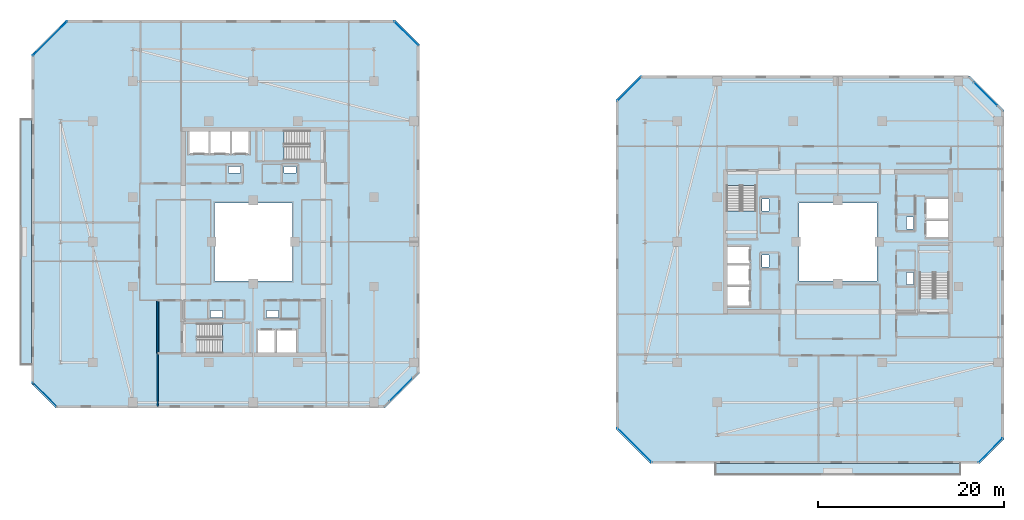
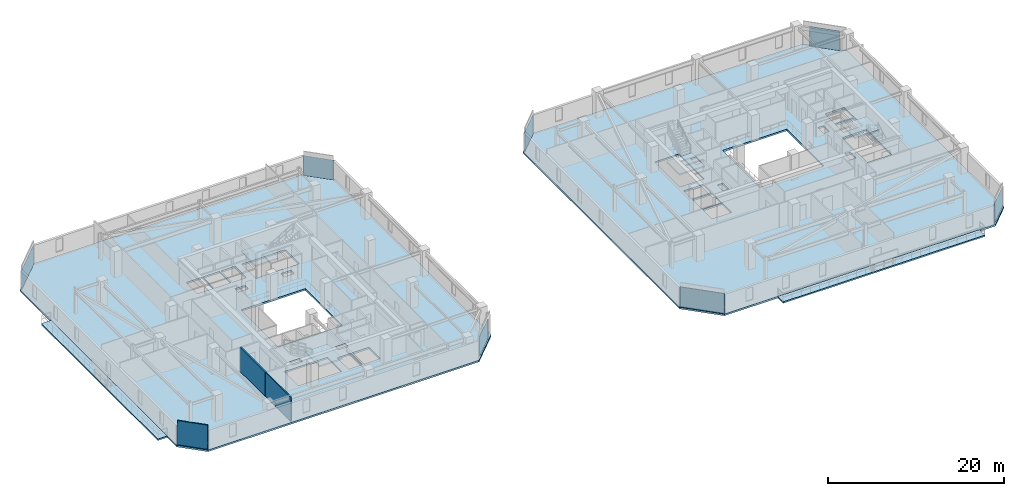
# One storey, part 18 of 33: 8 plates, 8 slabs, 3 walls, 12 elements without a shape of their own.
"""IFC4 building model written with IfcOpenShell, lengths in metres."""

from ifc_helpers import new_model, si_unit, direction, frame, frame_2d, origin, origin_2d, place, context, subcontext, project, spatial, polyline, rectangle, outline, extrude, material, layer, layer_set, type_object, element, aggregate, save


model = new_model("IFC4")

# Units and contexts
model_context = context("Model", 3, precision=1e-05, world=origin(), true_north=direction((0.0, 1.0)))
body_context = subcontext(model_context, "Body", "Model", "MODEL_VIEW")
ifc_project = project(units=[si_unit("LENGTHUNIT", "METRE"), si_unit("AREAUNIT", "SQUARE_METRE"), si_unit("VOLUMEUNIT", "CUBIC_METRE"), si_unit("PLANEANGLEUNIT", "RADIAN"), si_unit("MASSUNIT", "GRAM", prefix="KILO")], contexts=[model_context])

# Site, building, storey
site_placement = place(None, origin())
site = spatial("IfcSite", under=ifc_project, at=site_placement, CompositionType="ELEMENT")
building_placement = place(site_placement, origin())
building = spatial("IfcBuilding", under=site, at=building_placement, Name="Thornwick Lancets Civic Towers", CompositionType="ELEMENT")
storey_placement = place(building_placement, frame((0.0, 0.0, 207.300048828125)))
storey = spatial("IfcBuildingStorey", under=building, at=storey_placement, Name="L55", CompositionType="ELEMENT", Elevation=207.300048828125)

# Curtain wall, plate
ifc_material_1 = material(Name="High-zone chamfered-corner unitised glass curtain wall", Category="glass")
curtain_wall_type = type_object("IfcCurtainWallType", Name="CW_SYS_05", PredefinedType="NOTDEFINED", material=ifc_material_1)
curtain_wall_1_placement = place(storey_placement, origin())
curtain_wall_1 = element("IfcCurtainWall", 1, at=curtain_wall_1_placement, inside=storey, type_object=curtain_wall_type, Name="L55 Curtain Wall CW-L55-A-E1", PredefinedType="NOTDEFINED")
ifc_material_2 = material(Name="Low-e double glazing clear glass", Category="glass")
ifc_layer_1 = layer(ifc_material_2, 0.035888671875, Name="Low-e double glazing clear glass")
ifc_layer_set_1 = layer_set([ifc_layer_1], Name="Low-e double glazing clear glass")
plate_type = type_object("IfcPlateType", Name="CW_PNL_GLASS", PredefinedType="CURTAIN_PANEL", material=ifc_layer_set_1)
plate_1_placement = place(storey_placement, frame((41.419189453125, 11.08056640625, 0.0), z_axis=(0.0, 0.0, 1.0), x_axis=(0.707106781187, 0.707106781187, 0.0)))
plate_1 = element("IfcPlate", 2, at=plate_1_placement, type_object=plate_type, Name="CW-L55-A-E1 Panel 0", PredefinedType="CURTAIN_PANEL", context=body_context, shape_type="SweptSolid", body=[
    extrude(rectangle(XDim=3.5771484375, YDim=0.035888671875, at=origin_2d()), origin(), (0.0, 0.0, 1.0), 2.699951171875),
])
aggregate(curtain_wall_1, [plate_1])

curtain_wall_2_placement = place(storey_placement, origin())
curtain_wall_2 = element("IfcCurtainWall", 3, at=curtain_wall_2_placement, inside=storey, type_object=curtain_wall_type, Name="L55 Curtain Wall CW-L55-A-E3", PredefinedType="NOTDEFINED")
plate_2_placement = place(storey_placement, frame((41.972900390625, 49.472900390625, 0.0), z_axis=(0.0, 0.0, 1.0), x_axis=(-0.707106781187, 0.707106781187, 0.0)))
plate_2 = element("IfcPlate", 4, at=plate_2_placement, type_object=plate_type, Name="CW-L55-A-E3 Panel 0", PredefinedType="CURTAIN_PANEL", context=body_context, shape_type="SweptSolid", body=[
    extrude(rectangle(XDim=3.649169921875, YDim=0.035888671875, at=origin_2d()), origin(), (0.0, 0.0, 1.0), 2.699951171875),
])
aggregate(curtain_wall_2, [plate_2])

curtain_wall_3_placement = place(storey_placement, origin())
curtain_wall_3 = element("IfcCurtainWall", 5, at=curtain_wall_3_placement, inside=storey, type_object=curtain_wall_type, Name="L55 Curtain Wall CW-L55-A-E5", PredefinedType="NOTDEFINED")
plate_3_placement = place(storey_placement, frame((3.58056640625, 48.91943359375, 0.0), z_axis=(0.0, 0.0, 1.0), x_axis=(-0.707106781187, -0.707106781187, 0.0)))
plate_3 = element("IfcPlate", 6, at=plate_3_placement, type_object=plate_type, Name="CW-L55-A-E5 Panel 0", PredefinedType="CURTAIN_PANEL", context=body_context, shape_type="SweptSolid", body=[
    extrude(rectangle(XDim=5.205078125, YDim=0.035888671875, at=origin_2d()), origin(), (0.0, 0.0, 1.0), 2.699951171875),
])
aggregate(curtain_wall_3, [plate_3])

curtain_wall_4_placement = place(storey_placement, origin())
curtain_wall_4 = element("IfcCurtainWall", 7, at=curtain_wall_4_placement, inside=storey, type_object=curtain_wall_type, Name="L55 Curtain Wall CW-L55-A-E7", PredefinedType="NOTDEFINED")
plate_4_placement = place(storey_placement, frame((3.027099609375, 10.527099609375, 0.0), z_axis=(0.0, 0.0, 1.0), x_axis=(0.707106781187, -0.707106781187, 0.0)))
plate_4 = element("IfcPlate", 8, at=plate_4_placement, type_object=plate_type, Name="CW-L55-A-E7 Panel 0", PredefinedType="CURTAIN_PANEL", context=body_context, shape_type="SweptSolid", body=[
    extrude(rectangle(XDim=3.649169921875, YDim=0.035888671875, at=origin_2d()), origin(), (0.0, 0.0, 1.0), 2.699951171875),
])
aggregate(curtain_wall_4, [plate_4])

curtain_wall_5_placement = place(storey_placement, origin())
curtain_wall_5 = element("IfcCurtainWall", 9, at=curtain_wall_5_placement, inside=storey, type_object=curtain_wall_type, Name="L55 Curtain Wall CW-L55-B-E1", PredefinedType="NOTDEFINED")
plate_5_placement = place(storey_placement, frame((104.972900390625, 4.527099609375, 0.0), z_axis=(0.0, 0.0, 1.0), x_axis=(0.707106781187, 0.707106781187, 0.0)))
plate_5 = element("IfcPlate", 10, at=plate_5_placement, type_object=plate_type, Name="CW-L55-B-E1 Panel 0", PredefinedType="CURTAIN_PANEL", context=body_context, shape_type="SweptSolid", body=[
    extrude(rectangle(XDim=3.649169921875, YDim=0.035888671875, at=origin_2d()), origin(), (0.0, 0.0, 1.0), 2.699951171875),
])
aggregate(curtain_wall_5, [plate_5])

curtain_wall_6_placement = place(storey_placement, origin())
curtain_wall_6 = element("IfcCurtainWall", 11, at=curtain_wall_6_placement, inside=storey, type_object=curtain_wall_type, Name="L55 Curtain Wall CW-L55-B-E3", PredefinedType="NOTDEFINED")
plate_6_placement = place(storey_placement, frame((104.419189453125, 42.919189453125, 0.0), z_axis=(0.0, 0.0, 1.0), x_axis=(-0.707106781187, 0.707106781187, 0.0)))
plate_6 = element("IfcPlate", 12, at=plate_6_placement, type_object=plate_type, Name="CW-L55-B-E3 Panel 0", PredefinedType="CURTAIN_PANEL", context=body_context, shape_type="SweptSolid", body=[
    extrude(rectangle(XDim=3.5771484375, YDim=0.035888671875, at=origin_2d()), origin(), (0.0, 0.0, 1.0), 2.699951171875),
])
aggregate(curtain_wall_6, [plate_6])

curtain_wall_7_placement = place(storey_placement, origin())
curtain_wall_7 = element("IfcCurtainWall", 13, at=curtain_wall_7_placement, inside=storey, type_object=curtain_wall_type, Name="L55 Curtain Wall CW-L55-B-E5", PredefinedType="NOTDEFINED")
plate_7_placement = place(storey_placement, frame((66.027099609375, 43.472900390625, 0.0), z_axis=(0.0, 0.0, 1.0), x_axis=(-0.707106781187, -0.707106781187, 0.0)))
plate_7 = element("IfcPlate", 14, at=plate_7_placement, type_object=plate_type, Name="CW-L55-B-E5 Panel 0", PredefinedType="CURTAIN_PANEL", context=body_context, shape_type="SweptSolid", body=[
    extrude(rectangle(XDim=3.649169921875, YDim=0.035888671875, at=origin_2d()), origin(), (0.0, 0.0, 1.0), 2.699951171875),
])
aggregate(curtain_wall_7, [plate_7])

curtain_wall_8_placement = place(storey_placement, origin())
curtain_wall_8 = element("IfcCurtainWall", 15, at=curtain_wall_8_placement, inside=storey, type_object=curtain_wall_type, Name="L55 Curtain Wall CW-L55-B-E7", PredefinedType="NOTDEFINED")
plate_8_placement = place(storey_placement, frame((66.580810546875, 5.080810546875, 0.0), z_axis=(0.0, 0.0, 1.0), x_axis=(0.707106781187, -0.707106781187, 0.0)))
plate_8 = element("IfcPlate", 16, at=plate_8_placement, type_object=plate_type, Name="CW-L55-B-E7 Panel 0", PredefinedType="CURTAIN_PANEL", context=body_context, shape_type="SweptSolid", body=[
    extrude(rectangle(XDim=5.205078125, YDim=0.035888671875, at=origin_2d()), origin(), (0.0, 0.0, 1.0), 2.699951171875),
])
aggregate(curtain_wall_8, [plate_8])

# Slabs
ifc_material_3 = material(Name="Post-tensioned concrete C40/50", Category="concrete")
ifc_layer_2 = layer(ifc_material_3, 0.199951171875, Name="Post-tensioned concrete C40/50")
ifc_layer_set_2 = layer_set([ifc_layer_2], Name="Post-tensioned concrete C40/50")
slab_type_1 = type_object("IfcSlabType", Name="SLAB_BALCONY_200", PredefinedType="FLOOR", material=ifc_layer_set_2)
slab_1_placement = place(storey_placement, frame((0.0, 0.0, -0.199951171875)))
element("IfcSlab", 17, at=slab_1_placement, inside=storey, type_object=slab_type_1, Name="L55 Tower A Planted Balcony Slab W", PredefinedType="FLOOR", context=body_context, shape_type="SweptSolid", body=[
    extrude(outline(polyline([(0.35009765625, 13.800048828125), (1.60009765625, 13.800048828125), (1.60009765625, 40.199951171875), (0.35009765625, 40.199951171875), (0.35009765625, 13.800048828125)])), origin(), (0.0, 0.0, 1.0), 0.199951171875),
])
slab_2_placement = place(storey_placement, frame((0.0, 0.0, -0.199951171875)))
element("IfcSlab", 18, at=slab_2_placement, inside=storey, type_object=slab_type_1, Name="L55 Tower B Planted Balcony Slab S", PredefinedType="FLOOR", context=body_context, shape_type="SweptSolid", body=[
    extrude(outline(polyline([(75.300048828125, 1.85009765625), (101.699951171875, 1.85009765625), (101.699951171875, 3.10009765625), (75.300048828125, 3.10009765625), (75.300048828125, 1.85009765625)])), origin(), (0.0, 0.0, 1.0), 0.199951171875),
])

# Stair, slab
ifc_material_4 = material(Name="Concrete C40/50", Category="concrete")
stair_type = type_object("IfcStairType", Name="STAIR_DL_3600", PredefinedType="HALF_TURN_STAIR", material=ifc_material_4)
stair_1_placement = place(storey_placement, origin())
stair_1 = element("IfcStair", 19, at=stair_1_placement, inside=storey, type_object=stair_type, Name="L55 Tower A South Exit Stair ST-A1", PredefinedType="HALF_TURN_STAIR")
ifc_layer_3 = layer(ifc_material_4, 0.25, Name="Concrete C40/50")
ifc_layer_set_3 = layer_set([ifc_layer_3], Name="Concrete C40/50")
slab_type_2 = type_object("IfcSlabType", Name="SLAB_LANDING_200", PredefinedType="LANDING", material=ifc_layer_set_3)
slab_3_placement = place(storey_placement, frame((0.0, 0.0, 1.60302734375)))
slab_3 = element("IfcSlab", 20, at=slab_3_placement, type_object=slab_type_2, Name="ST-A1 landing 1", PredefinedType="LANDING", context=body_context, shape_type="SweptSolid", body=[
    extrude(outline(polyline([(22.169921875, 14.93994140625), (25.14990234375, 14.93994140625), (25.14990234375, 18.260009765625), (22.169921875, 18.260009765625), (22.169921875, 14.93994140625)])), origin(), (0.0, 0.0, 1.0), 0.199951171875),
])
aggregate(stair_1, [slab_3])

stair_2_placement = place(storey_placement, origin())
stair_2 = element("IfcStair", 21, at=stair_2_placement, inside=storey, type_object=stair_type, Name="L55 Tower A North Exit Stair ST-A2", PredefinedType="HALF_TURN_STAIR")
slab_4_placement = place(storey_placement, frame((0.0, 0.0, 1.60302734375)))
slab_4 = element("IfcSlab", 22, at=slab_4_placement, type_object=slab_type_2, Name="ST-A2 landing 1", PredefinedType="LANDING", context=body_context, shape_type="SweptSolid", body=[
    extrude(outline(polyline([(28.830078125, 39.06005859375), (25.85009765625, 39.06005859375), (25.85009765625, 35.739990234375), (28.830078125, 35.739990234375), (28.830078125, 39.06005859375)])), origin(), (0.0, 0.0, 1.0), 0.199951171875),
])
aggregate(stair_2, [slab_4])

stair_3_placement = place(storey_placement, origin())
stair_3 = element("IfcStair", 23, at=stair_3_placement, inside=storey, type_object=stair_type, Name="L55 Tower B East Exit Stair ST-B1", PredefinedType="HALF_TURN_STAIR")
slab_5_placement = place(storey_placement, frame((0.0, 0.0, 1.60302734375)))
slab_5 = element("IfcSlab", 24, at=slab_5_placement, type_object=slab_type_2, Name="ST-B1 landing 1", PredefinedType="LANDING", context=body_context, shape_type="SweptSolid", body=[
    extrude(outline(polyline([(100.56005859375, 23.669921875), (100.56005859375, 26.64990234375), (97.239990234375, 26.64990234375), (97.239990234375, 23.669921875), (100.56005859375, 23.669921875)])), origin(), (0.0, 0.0, 1.0), 0.199951171875),
])
aggregate(stair_3, [slab_5])

stair_4_placement = place(storey_placement, origin())
stair_4 = element("IfcStair", 25, at=stair_4_placement, inside=storey, type_object=stair_type, Name="L55 Tower B West Exit Stair ST-B2", PredefinedType="HALF_TURN_STAIR")
slab_6_placement = place(storey_placement, frame((0.0, 0.0, 1.60302734375)))
slab_6 = element("IfcSlab", 26, at=slab_6_placement, type_object=slab_type_2, Name="ST-B2 landing 1", PredefinedType="LANDING", context=body_context, shape_type="SweptSolid", body=[
    extrude(outline(polyline([(76.43994140625, 30.330078125), (76.43994140625, 27.35009765625), (79.760009765625, 27.35009765625), (79.760009765625, 30.330078125), (76.43994140625, 30.330078125)])), origin(), (0.0, 0.0, 1.0), 0.199951171875),
])
aggregate(stair_4, [slab_6])

# Slabs
ifc_layer_4 = layer(ifc_material_3, 0.239990234375, Name="Post-tensioned concrete C40/50")
ifc_layer_set_4 = layer_set([ifc_layer_4], Name="Post-tensioned concrete C40/50")
slab_type_3 = type_object("IfcSlabType", Name="SLAB_PT_240", PredefinedType="FLOOR", material=ifc_layer_set_4)
slab_7_placement = place(storey_placement, frame((0.0, 0.0, -0.239990234375)))
element("IfcSlab", 27, at=slab_7_placement, inside=storey, type_object=slab_type_3, Name="L55 Tower A Floor Slab", PredefinedType="FLOOR", context=body_context, shape_type="SweptSolid", body=[
    extrude(outline(polyline([(4.199951171875, 9.10009765625), (39.69189453125, 9.10009765625), (43.39990234375, 12.80810546875), (43.39990234375, 48.300048828125), (40.800048828125, 50.89990234375), (5.30810546875, 50.89990234375), (1.60009765625, 47.19189453125), (1.60009765625, 11.699951171875), (4.199951171875, 9.10009765625)]), holes=[polyline([(21.300048828125, 22.800048828125), (29.699951171875, 22.800048828125), (29.699951171875, 31.199951171875), (21.300048828125, 31.199951171875), (21.300048828125, 22.800048828125)]), polyline([(19.429931640625, 15.0), (25.10009765625, 15.0), (25.10009765625, 18.199951171875), (19.429931640625, 18.199951171875), (19.429931640625, 15.0)]), polyline([(31.570068359375, 39.0), (25.89990234375, 39.0), (25.89990234375, 35.800048828125), (31.570068359375, 35.800048828125), (31.570068359375, 39.0)]), polyline([(26.0, 15.0), (27.800048828125, 15.0), (27.800048828125, 17.550048828125), (26.0, 17.550048828125), (26.0, 15.0)]), polyline([(28.0, 15.0), (30.14990234375, 15.0), (30.14990234375, 17.550048828125), (28.0, 17.550048828125), (28.0, 15.0)]), polyline([(23.199951171875, 36.449951171875), (25.0, 36.449951171875), (25.0, 39.0), (23.199951171875, 39.0), (23.199951171875, 36.449951171875)]), polyline([(20.85009765625, 36.449951171875), (23.0, 36.449951171875), (23.0, 39.0), (20.85009765625, 39.0), (20.85009765625, 36.449951171875)]), polyline([(18.60009765625, 36.449951171875), (20.699951171875, 36.449951171875), (20.699951171875, 39.0), (18.60009765625, 39.0), (18.60009765625, 36.449951171875)]), polyline([(26.89990234375, 18.85009765625), (28.199951171875, 18.85009765625), (28.199951171875, 19.580078125), (26.89990234375, 19.580078125), (26.89990234375, 18.85009765625)]), polyline([(20.89990234375, 18.85009765625), (22.199951171875, 18.85009765625), (22.199951171875, 19.580078125), (20.89990234375, 19.580078125), (20.89990234375, 18.85009765625)]), polyline([(22.800048828125, 34.419921875), (24.10009765625, 34.419921875), (24.10009765625, 35.14990234375), (22.800048828125, 35.14990234375), (22.800048828125, 34.419921875)]), polyline([(28.800048828125, 34.419921875), (30.10009765625, 34.419921875), (30.10009765625, 35.14990234375), (28.800048828125, 35.14990234375), (28.800048828125, 34.419921875)])]), origin(), (0.0, 0.0, 1.0), 0.239990234375),
])
slab_8_placement = place(storey_placement, frame((0.0, 0.0, -0.239990234375)))
element("IfcSlab", 28, at=slab_8_placement, inside=storey, type_object=slab_type_3, Name="L55 Tower B Floor Slab", PredefinedType="FLOOR", context=body_context, shape_type="SweptSolid", body=[
    extrude(outline(polyline([(68.30810546875, 3.10009765625), (103.800048828125, 3.10009765625), (106.39990234375, 5.699951171875), (106.39990234375, 41.19189453125), (102.69189453125, 44.89990234375), (67.199951171875, 44.89990234375), (64.60009765625, 42.300048828125), (64.60009765625, 6.80810546875), (68.30810546875, 3.10009765625)]), holes=[polyline([(84.300048828125, 22.800048828125), (92.699951171875, 22.800048828125), (92.699951171875, 31.199951171875), (84.300048828125, 31.199951171875), (84.300048828125, 22.800048828125)]), polyline([(100.5, 20.929931640625), (100.5, 26.60009765625), (97.300048828125, 26.60009765625), (97.300048828125, 20.929931640625), (100.5, 20.929931640625)]), polyline([(76.5, 33.070068359375), (76.5, 27.39990234375), (79.699951171875, 27.39990234375), (79.699951171875, 33.070068359375), (76.5, 33.070068359375)]), polyline([(97.949951171875, 27.5), (100.5, 27.5), (100.5, 29.300048828125), (97.949951171875, 29.300048828125), (97.949951171875, 27.5)]), polyline([(97.949951171875, 29.5), (100.5, 29.5), (100.5, 31.64990234375), (97.949951171875, 31.64990234375), (97.949951171875, 29.5)]), polyline([(76.5, 24.699951171875), (79.050048828125, 24.699951171875), (79.050048828125, 26.5), (76.5, 26.5), (76.5, 24.699951171875)]), polyline([(76.5, 22.35009765625), (79.050048828125, 22.35009765625), (79.050048828125, 24.5), (76.5, 24.5), (76.5, 22.35009765625)]), polyline([(76.5, 20.10009765625), (79.050048828125, 20.10009765625), (79.050048828125, 22.199951171875), (76.5, 22.199951171875), (76.5, 20.10009765625)]), polyline([(95.919921875, 28.39990234375), (96.64990234375, 28.39990234375), (96.64990234375, 29.699951171875), (95.919921875, 29.699951171875), (95.919921875, 28.39990234375)]), polyline([(95.919921875, 22.39990234375), (96.64990234375, 22.39990234375), (96.64990234375, 23.699951171875), (95.919921875, 23.699951171875), (95.919921875, 22.39990234375)]), polyline([(80.35009765625, 24.300048828125), (81.080078125, 24.300048828125), (81.080078125, 25.60009765625), (80.35009765625, 25.60009765625), (80.35009765625, 24.300048828125)]), polyline([(80.35009765625, 30.300048828125), (81.080078125, 30.300048828125), (81.080078125, 31.60009765625), (80.35009765625, 31.60009765625), (80.35009765625, 30.300048828125)])]), origin(), (0.0, 0.0, 1.0), 0.239990234375),
])

# Walls
ifc_material_5 = material(Name="Concrete blockwork C40/50", Category="masonry")
ifc_layer_5 = layer(ifc_material_5, 0.199951171875, Name="Concrete blockwork C40/50")
ifc_layer_set_5 = layer_set([ifc_layer_5], Name="Concrete blockwork C40/50")
wall_type_1 = type_object("IfcWallType", Name="WALL_COMP_200", PredefinedType="STANDARD", material=ifc_layer_set_5)
wall_1_placement = place(storey_placement, frame((15.199951171875, 20.699951171875, 0.0), z_axis=(0.0, 0.0, 1.0), x_axis=(0.0, -1.0, 0.0)))
element("IfcWall", 29, at=wall_1_placement, inside=storey, type_object=wall_type_1, Name="L55 Partition L55-A-FFLOB1 E4", PredefinedType="STANDARD", context=body_context, shape_type="SweptSolid", body=[
    extrude(rectangle(XDim=5.699951171875, YDim=0.199951171875, at=frame_2d((2.85009765625, 0.0))), origin(), (0.0, 0.0, 1.0), 3.33984375),
])
ifc_material_6 = material(Name="Acoustic gypsum board partition")
ifc_layer_6 = layer(ifc_material_6, 0.1201171875, Name="Acoustic gypsum board partition")
ifc_layer_set_6 = layer_set([ifc_layer_6], Name="Acoustic gypsum board partition")
wall_type_2 = type_object("IfcWallType", Name="WALL_PART_120", PredefinedType="PARTITIONING", material=ifc_layer_set_6)
wall_2_placement = place(storey_placement, frame((15.199951171875, 15.0, 0.0), z_axis=(0.0, 0.0, 1.0), x_axis=(0.0, -1.0, 0.0)))
element("IfcWall", 30, at=wall_2_placement, inside=storey, type_object=wall_type_2, Name="L55 Partition L55-A-W1 E7", PredefinedType="PARTITIONING", context=body_context, shape_type="SweptSolid", body=[
    extrude(rectangle(XDim=5.719970703125, YDim=0.1201171875, at=frame_2d((2.85986328125, 0.0))), origin(), (0.0, 0.0, 1.0), 3.33984375),
])
wall_3_placement = place(storey_placement, frame((4.274658203125, 9.280029296875, 0.0), z_axis=(0.0, 0.0, 1.0), x_axis=(-0.707106781187, 0.707106781187, 0.0)))
element("IfcWall", 31, at=wall_3_placement, inside=storey, type_object=wall_type_2, Name="L55 Partition L55-A-W1 E9", PredefinedType="PARTITIONING", context=body_context, shape_type="SweptSolid", body=[
    extrude(rectangle(XDim=3.52783203125, YDim=0.1201171875, at=frame_2d((1.763916015625, 0.0))), origin(), (0.0, 0.0, 1.0), 3.33984375),
])

save(model, "model.ifc")
